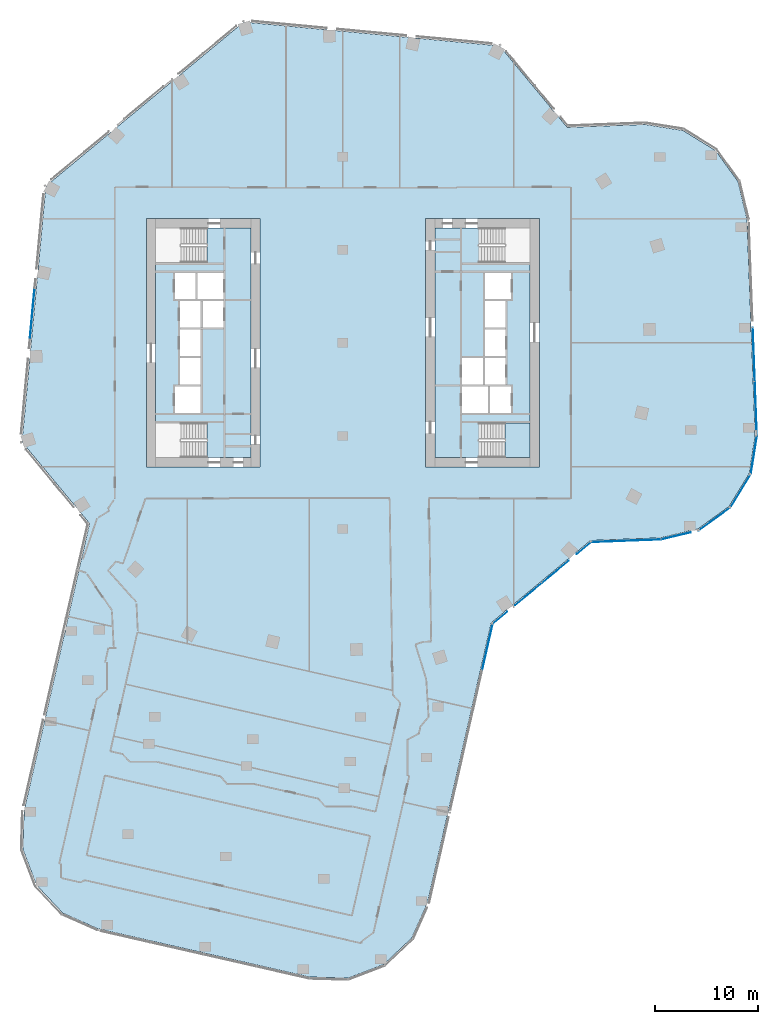
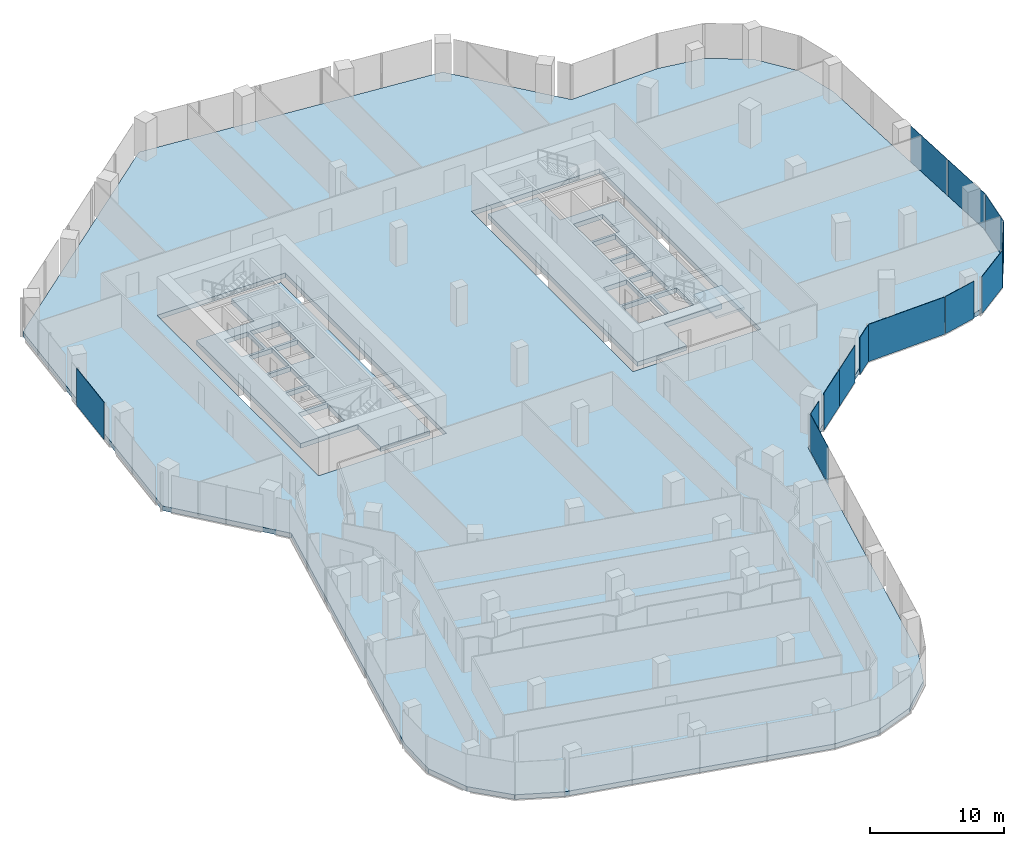
# One storey, part 15 of 24: 13 plates, 4 slabs, 10 elements without a shape of their own.
"""IFC4 building model written with IfcOpenShell, lengths in metres."""

from ifc_helpers import new_model, si_unit, direction, frame, origin, origin_2d, place, context, subcontext, project, spatial, polyline, rectangle, outline, extrude, material, layer, layer_set, type_object, element, aggregate, save


model = new_model("IFC4")

# Units and contexts
model_context = context("Model", 3, precision=1e-05, world=origin(), true_north=direction((0.0, 1.0)))
body_context = subcontext(model_context, "Body", "Model", "MODEL_VIEW")
ifc_project = project(units=[si_unit("LENGTHUNIT", "METRE"), si_unit("AREAUNIT", "SQUARE_METRE"), si_unit("VOLUMEUNIT", "CUBIC_METRE"), si_unit("PLANEANGLEUNIT", "RADIAN"), si_unit("MASSUNIT", "GRAM", prefix="KILO")], contexts=[model_context])

# Site, building, storey
site_placement = place(None, origin())
site = spatial("IfcSite", under=ifc_project, at=site_placement, CompositionType="ELEMENT")
building_placement = place(site_placement, origin())
building = spatial("IfcBuilding", under=site, at=building_placement, Name="Orlundy Tower", CompositionType="ELEMENT")
storey_placement = place(building_placement, frame((0.0, 0.0, 174.10009765625)))
storey = spatial("IfcBuildingStorey", under=building, at=storey_placement, Name="L45", CompositionType="ELEMENT", Elevation=174.10009765625)

# Curtain wall, plate
ifc_material_1 = material(Name="Aluminium bronze anodised", Category="aluminium")
curtain_wall_type = type_object("IfcCurtainWallType", Name="CW1 wall", PredefinedType="NOTDEFINED", material=ifc_material_1)
curtain_wall_1_placement = place(storey_placement, origin())
curtain_wall_1 = element("IfcCurtainWall", 1, at=curtain_wall_1_placement, inside=storey, type_object=curtain_wall_type, Name="CW1 run 02", PredefinedType="NOTDEFINED")
ifc_material_2 = material(Name="Tinted glass", Category="glass")
ifc_layer_1 = layer(ifc_material_2, 0.031982421875)
ifc_layer_set_1 = layer_set([ifc_layer_1], Name="CW1 glass panel 32")
plate_type = type_object("IfcPlateType", Name="CW1 glass panel 32", PredefinedType="CURTAIN_PANEL", material=ifc_layer_set_1)
plate_1_placement = place(storey_placement, frame((-30.033203125, 2.8037109375, -0.300048828125), z_axis=(0.0, 0.0, 1.0), x_axis=(0.092948066811, 0.995670958136, 0.0)))
plate_1 = element("IfcPlate", 2, at=plate_1_placement, type_object=plate_type, Name="CW1 panel", PredefinedType="CURTAIN_PANEL", context=body_context, shape_type="SweptSolid", body=[
    extrude(rectangle(XDim=4.92041015625, YDim=0.031982421875, at=origin_2d()), origin(), (0.0, 0.0, 1.0), 3.3798828125),
])
aggregate(curtain_wall_1, [plate_1])

# Curtain wall, plates
curtain_wall_2_placement = place(storey_placement, origin())
curtain_wall_2 = element("IfcCurtainWall", 3, at=curtain_wall_2_placement, inside=storey, type_object=curtain_wall_type, Name="CW1 run 011", PredefinedType="NOTDEFINED")
plate_2_placement = place(storey_placement, frame((39.735107421875, -1.12353515625, -0.300048828125), z_axis=(0.0, 0.0, 1.0), x_axis=(0.03780949547, -0.999284965389, 0.0)))
plate_2 = element("IfcPlate", 4, at=plate_2_placement, type_object=plate_type, Name="CW1 panel", PredefinedType="CURTAIN_PANEL", context=body_context, shape_type="SweptSolid", body=[
    extrude(rectangle(XDim=5.199951171875, YDim=0.031982421875, at=origin_2d()), origin(), (0.0, 0.0, 1.0), 3.3798828125),
])
plate_3_placement = place(storey_placement, frame((39.933837890625, -6.377685546875, -0.300048828125), z_axis=(0.0, 0.0, 1.0), x_axis=(0.03780949547, -0.999284965389, 0.0)))
plate_3 = element("IfcPlate", 5, at=plate_3_placement, type_object=plate_type, Name="CW1 panel", PredefinedType="CURTAIN_PANEL", context=body_context, shape_type="SweptSolid", body=[
    extrude(rectangle(XDim=5.216064453125, YDim=0.031982421875, at=origin_2d()), origin(), (0.0, 0.0, 1.0), 3.3798828125),
])
aggregate(curtain_wall_2, [plate_2, plate_3])

# Curtain wall, plate
curtain_wall_3_placement = place(storey_placement, origin())
curtain_wall_3 = element("IfcCurtainWall", 6, at=curtain_wall_3_placement, inside=storey, type_object=curtain_wall_type, Name="CW1 run 012", PredefinedType="NOTDEFINED")
plate_4_placement = place(storey_placement, frame((39.735107421875, -10.87548828125, -0.300048828125), z_axis=(0.0, 0.0, 1.0), x_axis=(-0.157832660108, -0.987465873539, 0.0)))
plate_4 = element("IfcPlate", 7, at=plate_4_placement, type_object=plate_type, Name="CW1 panel", PredefinedType="CURTAIN_PANEL", context=body_context, shape_type="SweptSolid", body=[
    extrude(rectangle(XDim=3.730224609375, YDim=0.031982421875, at=origin_2d()), origin(), (0.0, 0.0, 1.0), 3.3798828125),
])
aggregate(curtain_wall_3, [plate_4])

curtain_wall_4_placement = place(storey_placement, origin())
curtain_wall_4 = element("IfcCurtainWall", 8, at=curtain_wall_4_placement, inside=storey, type_object=curtain_wall_type, Name="CW1 run 013", PredefinedType="NOTDEFINED")
plate_5_placement = place(storey_placement, frame((38.45263671875, -14.323974609375, -0.300048828125), z_axis=(0.0, 0.0, 1.0), x_axis=(-0.523826505898, -0.851824977163, 0.0)))
plate_5 = element("IfcPlate", 9, at=plate_5_placement, type_object=plate_type, Name="CW1 panel", PredefinedType="CURTAIN_PANEL", context=body_context, shape_type="SweptSolid", body=[
    extrude(rectangle(XDim=3.772705078125, YDim=0.031982421875, at=origin_2d()), origin(), (0.0, 0.0, 1.0), 3.3798828125),
])
aggregate(curtain_wall_4, [plate_5])

curtain_wall_5_placement = place(storey_placement, origin())
curtain_wall_5 = element("IfcCurtainWall", 10, at=curtain_wall_5_placement, inside=storey, type_object=curtain_wall_type, Name="CW1 run 014", PredefinedType="NOTDEFINED")
plate_6_placement = place(storey_placement, frame((35.937255859375, -17.036865234375, -0.300048828125), z_axis=(0.0, 0.0, 1.0), x_axis=(-0.809924443503, -0.586534223909, 0.0)))
plate_6 = element("IfcPlate", 11, at=plate_6_placement, type_object=plate_type, Name="CW1 panel", PredefinedType="CURTAIN_PANEL", context=body_context, shape_type="SweptSolid", body=[
    extrude(rectangle(XDim=3.771728515625, YDim=0.031982421875, at=origin_2d()), origin(), (0.0, 0.0, 1.0), 3.3798828125),
])
aggregate(curtain_wall_5, [plate_6])

curtain_wall_6_placement = place(storey_placement, origin())
curtain_wall_6 = element("IfcCurtainWall", 12, at=curtain_wall_6_placement, inside=storey, type_object=curtain_wall_type, Name="CW1 run 015", PredefinedType="NOTDEFINED")
plate_7_placement = place(storey_placement, frame((32.206298828125, -18.669189453125, -0.300048828125), z_axis=(0.0, 0.0, 1.0), x_axis=(-0.972643862343, -0.232301349645, 0.0)))
plate_7 = element("IfcPlate", 13, at=plate_7_placement, type_object=plate_type, Name="CW1 panel", PredefinedType="CURTAIN_PANEL", context=body_context, shape_type="SweptSolid", body=[
    extrude(rectangle(XDim=2.92919921875, YDim=0.031982421875, at=origin_2d()), origin(), (0.0, 0.0, 1.0), 3.3798828125),
])
aggregate(curtain_wall_6, [plate_7])

curtain_wall_7_placement = place(storey_placement, origin())
curtain_wall_7 = element("IfcCurtainWall", 14, at=curtain_wall_7_placement, inside=storey, type_object=curtain_wall_type, Name="CW1 run 016", PredefinedType="NOTDEFINED")
plate_8_placement = place(storey_placement, frame((27.37451171875, -19.14306640625, -0.300048828125), z_axis=(0.0, 0.0, 1.0), x_axis=(-0.999287923787, -0.037731225433, 0.0)))
plate_8 = element("IfcPlate", 15, at=plate_8_placement, type_object=plate_type, Name="CW1 panel", PredefinedType="CURTAIN_PANEL", context=body_context, shape_type="SweptSolid", body=[
    extrude(rectangle(XDim=6.72021484375, YDim=0.031982421875, at=origin_2d()), origin(), (0.0, 0.0, 1.0), 3.3798828125),
])
aggregate(curtain_wall_7, [plate_8])

# Curtain wall, plates
curtain_wall_8_placement = place(storey_placement, origin())
curtain_wall_8 = element("IfcCurtainWall", 16, at=curtain_wall_8_placement, inside=storey, type_object=curtain_wall_type, Name="CW1 run 017", PredefinedType="NOTDEFINED")
plate_9_placement = place(storey_placement, frame((23.319091796875, -19.848388671875, -0.300048828125), z_axis=(0.0, 0.0, 1.0), x_axis=(-0.769761799816, -0.638331239674, 0.0)))
plate_9 = element("IfcPlate", 17, at=plate_9_placement, type_object=plate_type, Name="CW1 panel", PredefinedType="CURTAIN_PANEL", context=body_context, shape_type="SweptSolid", body=[
    extrude(rectangle(XDim=1.81298828125, YDim=0.031982421875, at=origin_2d()), origin(), (0.0, 0.0, 1.0), 3.3798828125),
])
plate_10_placement = place(storey_placement, frame((20.555908203125, -22.139892578125, -0.300048828125), z_axis=(0.0, 0.0, 1.0), x_axis=(-0.769761799816, -0.638331239674, 0.0)))
plate_10 = element("IfcPlate", 18, at=plate_10_placement, type_object=plate_type, Name="CW1 panel", PredefinedType="CURTAIN_PANEL", context=body_context, shape_type="SweptSolid", body=[
    extrude(rectangle(XDim=3.33203125, YDim=0.031982421875, at=origin_2d()), origin(), (0.0, 0.0, 1.0), 3.3798828125),
])
plate_11_placement = place(storey_placement, frame((17.95263671875, -24.298583984375, -0.300048828125), z_axis=(0.0, 0.0, 1.0), x_axis=(-0.769761799816, -0.638331239674, 0.0)))
plate_11 = element("IfcPlate", 19, at=plate_11_placement, type_object=plate_type, Name="CW1 panel", PredefinedType="CURTAIN_PANEL", context=body_context, shape_type="SweptSolid", body=[
    extrude(rectangle(XDim=3.331787109375, YDim=0.031982421875, at=origin_2d()), origin(), (0.0, 0.0, 1.0), 3.3798828125),
])
plate_12_placement = place(storey_placement, frame((15.189453125, -26.58984375, -0.300048828125), z_axis=(0.0, 0.0, 1.0), x_axis=(-0.769761799816, -0.638331239674, 0.0)))
plate_12 = element("IfcPlate", 20, at=plate_12_placement, type_object=plate_type, Name="CW1 panel", PredefinedType="CURTAIN_PANEL", context=body_context, shape_type="SweptSolid", body=[
    extrude(rectangle(XDim=1.8134765625, YDim=0.031982421875, at=origin_2d()), origin(), (0.0, 0.0, 1.0), 3.3798828125),
])
aggregate(curtain_wall_8, [plate_9, plate_10, plate_11, plate_12])

# Curtain wall, plate
curtain_wall_9_placement = place(storey_placement, origin())
curtain_wall_9 = element("IfcCurtainWall", 21, at=curtain_wall_9_placement, inside=storey, type_object=curtain_wall_type, Name="CW1 run 018", PredefinedType="NOTDEFINED")
plate_13_placement = place(storey_placement, frame((13.986328125, -29.386962890625, -0.300048828125), z_axis=(0.0, 0.0, 1.0), x_axis=(-0.222106437373, -0.975022425628, 0.0)))
plate_13 = element("IfcPlate", 22, at=plate_13_placement, type_object=plate_type, Name="CW1 panel", PredefinedType="CURTAIN_PANEL", context=body_context, shape_type="SweptSolid", body=[
    extrude(rectangle(XDim=4.550048828125, YDim=0.031982421875, at=origin_2d()), origin(), (0.0, 0.0, 1.0), 3.3798828125),
])
aggregate(curtain_wall_9, [plate_13])

# Slabs
ifc_material_3 = material(Name="Concrete C50/60", Category="concrete")
ifc_layer_2 = layer(ifc_material_3, 0.419921875)
ifc_layer_set_2 = layer_set([ifc_layer_2], Name="Core Floor Slab 420")
slab_type_1 = type_object("IfcSlabType", Name="Core Floor Slab 420", PredefinedType="FLOOR", material=ifc_layer_set_2)
slab_1_placement = place(storey_placement, frame((0.0, 0.0, -0.420166015625)))
element("IfcSlab", 23, at=slab_1_placement, inside=storey, type_object=slab_type_1, Name="Core floor W35", PredefinedType="FLOOR", context=body_context, shape_type="SweptSolid", body=[
    extrude(outline(polyline([(-13.14501953125, -11.10009765625), (-13.14501953125, -7.75), (-18.10009765625, -7.75), (-18.10009765625, 7.75), (-13.14501953125, 7.75), (-13.14501953125, 11.10009765625), (-8.89990234375, 11.10009765625), (-8.89990234375, -11.10009765625), (-13.14501953125, -11.10009765625)]), holes=[polyline([(-13.739990234375, -4.22509765625), (-16.239990234375, -4.22509765625), (-16.239990234375, -6.77490234375), (-13.739990234375, -6.77490234375), (-13.739990234375, -4.22509765625)]), polyline([(-13.739990234375, -4.02490234375), (-13.739990234375, -1.47509765625), (-15.739990234375, -1.47509765625), (-15.739990234375, -4.02490234375), (-13.739990234375, -4.02490234375)]), polyline([(-15.739990234375, -1.27490234375), (-13.739990234375, -1.27490234375), (-13.739990234375, 1.27490234375), (-15.739990234375, 1.27490234375), (-15.739990234375, -1.27490234375)]), polyline([(-13.5400390625, 4.02490234375), (-13.5400390625, 1.47509765625), (-11.5400390625, 1.47509765625), (-11.5400390625, 4.02490234375), (-13.5400390625, 4.02490234375)]), polyline([(-13.739990234375, 4.02490234375), (-15.739990234375, 4.02490234375), (-15.739990234375, 1.47509765625), (-13.739990234375, 1.47509765625), (-13.739990234375, 4.02490234375)]), polyline([(-11.5400390625, 4.22509765625), (-11.5400390625, 6.77490234375), (-14.0400390625, 6.77490234375), (-14.0400390625, 4.22509765625), (-11.5400390625, 4.22509765625)]), polyline([(-16.239990234375, 4.22509765625), (-14.239990234375, 4.22509765625), (-14.239990234375, 6.77490234375), (-16.239990234375, 6.77490234375), (-16.239990234375, 4.22509765625)])]), origin(), (0.0, 0.0, 1.0), 0.420166015625),
])
slab_2_placement = place(storey_placement, frame((0.0, 0.0, -0.420166015625)))
element("IfcSlab", 24, at=slab_2_placement, inside=storey, type_object=slab_type_1, Name="Core floor E35", PredefinedType="FLOOR", context=body_context, shape_type="SweptSolid", body=[
    extrude(outline(polyline([(13.14501953125, 11.10009765625), (13.14501953125, 7.75), (18.10009765625, 7.75), (18.10009765625, -7.75), (13.14501953125, -7.75), (13.14501953125, -11.10009765625), (8.89990234375, -11.10009765625), (8.89990234375, 11.10009765625), (13.14501953125, 11.10009765625)]), holes=[polyline([(13.739990234375, 4.22509765625), (16.239990234375, 4.22509765625), (16.239990234375, 6.77490234375), (13.739990234375, 6.77490234375), (13.739990234375, 4.22509765625)]), polyline([(13.739990234375, 4.02490234375), (13.739990234375, 1.47509765625), (15.739990234375, 1.47509765625), (15.739990234375, 4.02490234375), (13.739990234375, 4.02490234375)]), polyline([(15.739990234375, 1.27490234375), (13.739990234375, 1.27490234375), (13.739990234375, -1.27490234375), (15.739990234375, -1.27490234375), (15.739990234375, 1.27490234375)]), polyline([(13.5400390625, -4.02490234375), (13.5400390625, -1.47509765625), (11.5400390625, -1.47509765625), (11.5400390625, -4.02490234375), (13.5400390625, -4.02490234375)]), polyline([(13.739990234375, -4.02490234375), (15.739990234375, -4.02490234375), (15.739990234375, -1.47509765625), (13.739990234375, -1.47509765625), (13.739990234375, -4.02490234375)]), polyline([(11.5400390625, -4.22509765625), (11.5400390625, -6.77490234375), (14.0400390625, -6.77490234375), (14.0400390625, -4.22509765625), (11.5400390625, -4.22509765625)]), polyline([(16.239990234375, -4.22509765625), (14.239990234375, -4.22509765625), (14.239990234375, -6.77490234375), (16.239990234375, -6.77490234375), (16.239990234375, -4.22509765625)])]), origin(), (0.0, 0.0, 1.0), 0.420166015625),
])

# Stair, slab
ifc_material_4 = material(Name="Concrete C50/60", Category="concrete")
stair_type = type_object("IfcStairType", Name="Exit Stair 20 risers", PredefinedType="HALF_TURN_STAIR", material=ifc_material_4)
stair_placement = place(storey_placement, origin())
stair = element("IfcStair", 25, at=stair_placement, inside=storey, type_object=stair_type, Name="L45 Exit Stair ST-E1", PredefinedType="HALF_TURN_STAIR")
ifc_material_5 = material(Name="Concrete C50/60", Category="concrete")
ifc_layer_3 = layer(ifc_material_5, 0.199951171875)
ifc_layer_set_3 = layer_set([ifc_layer_3], Name="Exit Stair Landing")
slab_type_2 = type_object("IfcSlabType", Name="Exit Stair Landing", PredefinedType="LANDING", material=ifc_layer_set_3)
slab_3_placement = place(storey_placement, frame((0.0, 0.0, 1.5498046875)))
slab_3 = element("IfcSlab", 26, at=slab_3_placement, type_object=slab_type_2, Name="ST-E1 landing 1", PredefinedType="LANDING", context=body_context, shape_type="SweptSolid", body=[
    extrude(outline(polyline([(15.659912109375, -11.10009765625), (18.10009765625, -11.10009765625), (18.10009765625, -7.75), (15.659912109375, -7.75), (15.659912109375, -11.10009765625)])), origin(), (0.0, 0.0, 1.0), 0.2001953125),
])
aggregate(stair, [slab_3])

# Slab
ifc_material_6 = material(Name="Concrete C45/55", Category="concrete")
ifc_layer_4 = layer(ifc_material_6, 0.419921875)
ifc_layer_set_4 = layer_set([ifc_layer_4], Name="TRANSFER FLOOR SLAB 420 C45/55")
slab_type_3 = type_object("IfcSlabType", Name="TRANSFER FLOOR SLAB 420 C45/55", PredefinedType="FLOOR", material=ifc_layer_set_4)
slab_4_placement = place(storey_placement, frame((0.0, 0.0, -0.420166015625)))
element("IfcSlab", 27, at=slab_4_placement, inside=storey, type_object=slab_type_3, Name="Floor slab L45", PredefinedType="FLOOR", context=body_context, shape_type="SweptSolid", body=[
    extrude(outline(polyline([(-24.490966796875, -17.464111328125), (-31.02490234375, -9.583984375), (-28.715087890625, 15.160888671875), (-9.583984375, 31.02490234375), (15.160888671875, 28.715087890625), (21.695068359375, 20.8349609375), (29.221923828125, 21.1201171875), (32.883056640625, 20.534912109375), (36.0400390625, 18.593017578125), (38.215087890625, 15.591064453125), (39.074951171875, 11.986083984375), (39.868896484375, -8.9990234375), (39.283935546875, -12.658935546875), (37.342041015625, -15.81689453125), (34.340087890625, -17.990966796875), (30.735107421875, -18.85205078125), (23.955078125, -19.10791015625), (14.343994140625, -27.077880859375), (8.173095703125, -54.16796875), (6.659912109375, -57.552001953125), (3.967041015625, -60.10009765625), (0.5048828125, -61.423095703125), (-3.199951171875, -61.321044921875), (-23.676025390625, -56.656982421875), (-27.06005859375, -55.14404296875), (-29.60693359375, -52.450927734375), (-30.930908203125, -48.989013671875), (-30.827880859375, -45.283935546875), (-24.490966796875, -17.464111328125)]), holes=[polyline([(-8.0, -12.0), (-8.0, 12.0), (-19.0, 12.0), (-19.0, -12.0), (-8.0, -12.0)]), polyline([(19.0, -12.0), (19.0, 12.0), (8.0, 12.0), (8.0, -12.0), (19.0, -12.0)])]), origin(), (0.0, 0.0, 1.0), 0.420166015625),
])

save(model, "model.ifc")
